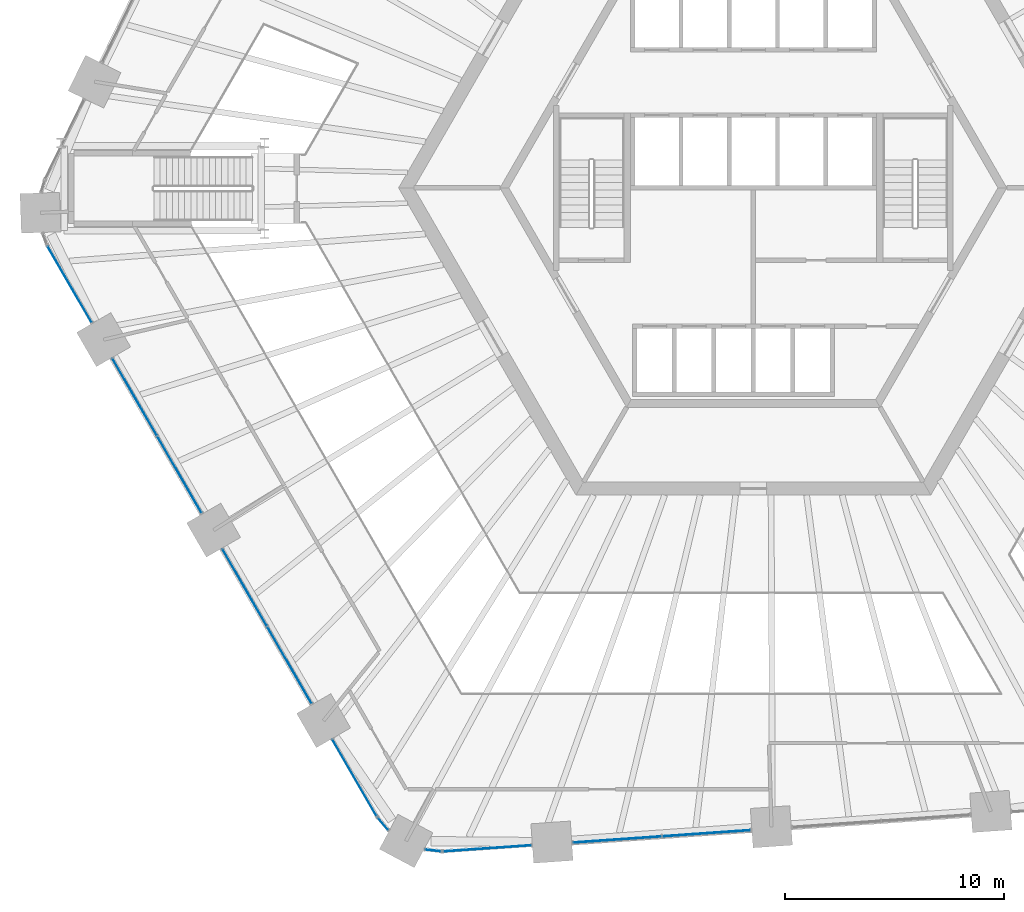
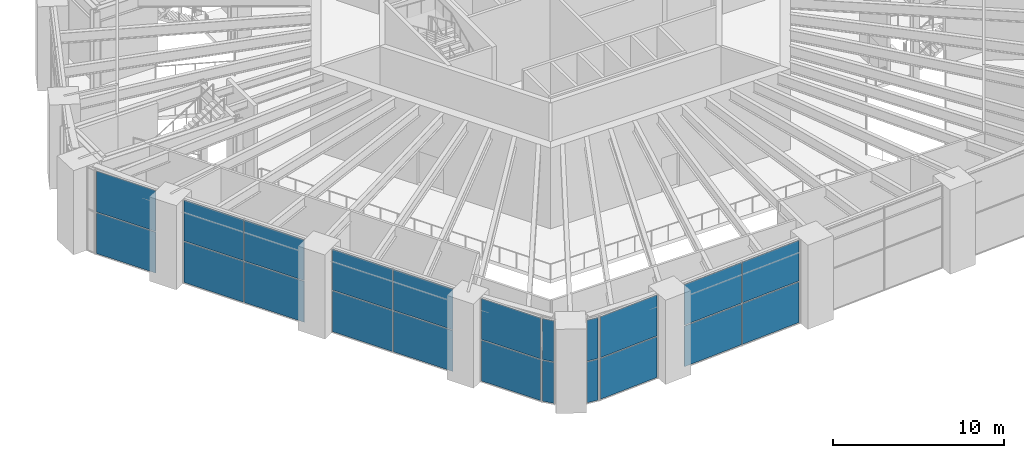
# One storey, part 14 of 32: 22 plates, 8 elements without a shape of their own.
"""IFC4 building model written with IfcOpenShell, lengths in metres."""

from ifc_helpers import new_model, si_unit, direction, frame, origin, origin_2d, place, context, subcontext, project, spatial, rectangle, extrude, material, layer, layer_set, type_object, element, aggregate, save


model = new_model("IFC4")

# Units and contexts
model_context = context("Model", 3, precision=1e-05, world=origin(), true_north=direction((0.0, 1.0)))
body_context = subcontext(model_context, "Body", "Model", "MODEL_VIEW")
ifc_project = project(units=[si_unit("LENGTHUNIT", "METRE"), si_unit("AREAUNIT", "SQUARE_METRE"), si_unit("VOLUMEUNIT", "CUBIC_METRE"), si_unit("PLANEANGLEUNIT", "RADIAN"), si_unit("MASSUNIT", "GRAM", prefix="KILO")], contexts=[model_context])

# Site, building, storey
site_placement = place(None, origin())
site = spatial("IfcSite", under=ifc_project, at=site_placement, CompositionType="ELEMENT")
building_placement = place(site_placement, origin())
building = spatial("IfcBuilding", under=site, at=building_placement, Name="Tarnside Tower", CompositionType="ELEMENT")
storey_placement = place(building_placement, frame((0.0, 0.0, 9.0)))
storey = spatial("IfcBuildingStorey", under=building, at=storey_placement, Name="L01", CompositionType="ELEMENT", Elevation=9.0)

# Curtain wall, plates
ifc_material_1 = material(Name="Lobby entrance glazing wall", Category="glass")
curtain_wall_type_1 = type_object("IfcCurtainWallType", Name="Lobby entrance glazing wall", PredefinedType="NOTDEFINED", material=ifc_material_1)
curtain_wall_1_placement = place(storey_placement, origin())
curtain_wall_1 = element("IfcCurtainWall", 1, at=curtain_wall_1_placement, inside=storey, type_object=curtain_wall_type_1, Name="Lobby entrance glazing L01 12.0", PredefinedType="NOTDEFINED")
ifc_material_2 = material(Name="Low-iron safety glass", Category="glass")
ifc_layer_1 = layer(ifc_material_2, 0.030029296875)
ifc_layer_set_1 = layer_set([ifc_layer_1], Name="Lobby entrance glazing panel 30")
plate_type_1 = type_object("IfcPlateType", Name="Lobby entrance glazing panel 30", PredefinedType="CURTAIN_PANEL", material=ifc_layer_set_1)
plate_1_placement = place(storey_placement, frame((-6.205078125, -29.695068359375, -0.179931640625), z_axis=(0.0, 0.0, 1.0), x_axis=(0.997564050257, 0.069756473779, 0.0)))
plate_1 = element("IfcPlate", 2, at=plate_1_placement, type_object=plate_type_1, Name="CW3 panel 1.1", PredefinedType="CURTAIN_PANEL", context=body_context, shape_type="SweptSolid", body=[
    extrude(rectangle(XDim=4.0068359375, YDim=0.030029296875, at=origin_2d()), origin(), (0.0, 0.0, 1.0), 2.89501953125),
])
plate_2_placement = place(storey_placement, frame((-6.205078125, -29.695068359375, 2.784912109375), z_axis=(0.0, 0.0, 1.0), x_axis=(0.997564050257, 0.069756473779, 0.0)))
plate_2 = element("IfcPlate", 3, at=plate_2_placement, type_object=plate_type_1, Name="CW3 panel 1.2", PredefinedType="CURTAIN_PANEL", context=body_context, shape_type="SweptSolid", body=[
    extrude(rectangle(XDim=4.0068359375, YDim=0.030029296875, at=origin_2d()), origin(), (0.0, 0.0, 1.0), 2.89501953125),
])
plate_3_placement = place(storey_placement, frame((-2.13818359375, -29.410888671875, -0.179931640625), z_axis=(0.0, 0.0, 1.0), x_axis=(0.997564050257, 0.069756473779, 0.0)))
plate_3 = element("IfcPlate", 4, at=plate_3_placement, type_object=plate_type_1, Name="CW3 panel 2.1", PredefinedType="CURTAIN_PANEL", context=body_context, shape_type="SweptSolid", body=[
    extrude(rectangle(XDim=4.0068359375, YDim=0.030029296875, at=origin_2d()), origin(), (0.0, 0.0, 1.0), 2.89501953125),
])
plate_4_placement = place(storey_placement, frame((-2.13818359375, -29.410888671875, 2.784912109375), z_axis=(0.0, 0.0, 1.0), x_axis=(0.997564050257, 0.069756473779, 0.0)))
plate_4 = element("IfcPlate", 5, at=plate_4_placement, type_object=plate_type_1, Name="CW3 panel 2.2", PredefinedType="CURTAIN_PANEL", context=body_context, shape_type="SweptSolid", body=[
    extrude(rectangle(XDim=4.0068359375, YDim=0.030029296875, at=origin_2d()), origin(), (0.0, 0.0, 1.0), 2.89501953125),
])
aggregate(curtain_wall_1, [plate_1, plate_2, plate_3, plate_4])

ifc_material_3 = material(Name="Retail shopfront glazing wall", Category="glass")
curtain_wall_type_2 = type_object("IfcCurtainWallType", Name="Retail shopfront glazing wall", PredefinedType="NOTDEFINED", material=ifc_material_3)
curtain_wall_2_placement = place(storey_placement, origin())
curtain_wall_2 = element("IfcCurtainWall", 6, at=curtain_wall_2_placement, inside=storey, type_object=curtain_wall_type_2, Name="Retail shopfront glazing L01 07.1", PredefinedType="NOTDEFINED")
ifc_layer_2 = layer(ifc_material_2, 0.028076171875)
ifc_layer_set_2 = layer_set([ifc_layer_2], Name="Retail shopfront glazing panel 28")
plate_type_2 = type_object("IfcPlateType", Name="Retail shopfront glazing panel 28", PredefinedType="CURTAIN_PANEL", material=ifc_layer_set_2)
plate_5_placement = place(storey_placement, frame((-31.15478515625, -4.398193359375, -0.18994140625), z_axis=(0.0, 0.0, 1.0), x_axis=(0.50000000003, -0.866025403767, 0.0)))
plate_5 = element("IfcPlate", 7, at=plate_5_placement, type_object=plate_type_2, Name="CW2 panel 1.1", PredefinedType="CURTAIN_PANEL", context=body_context, shape_type="SweptSolid", body=[
    extrude(rectangle(XDim=3.991943359375, YDim=0.028076171875, at=origin_2d()), origin(), (0.0, 0.0, 1.0), 2.909912109375),
])
plate_6_placement = place(storey_placement, frame((-31.15478515625, -4.398193359375, 2.7802734375), z_axis=(0.0, 0.0, 1.0), x_axis=(0.50000000003, -0.866025403767, 0.0)))
plate_6 = element("IfcPlate", 8, at=plate_6_placement, type_object=plate_type_2, Name="CW2 panel 1.2", PredefinedType="CURTAIN_PANEL", context=body_context, shape_type="SweptSolid", body=[
    extrude(rectangle(XDim=3.991943359375, YDim=0.028076171875, at=origin_2d()), origin(), (0.0, 0.0, 1.0), 2.909912109375),
])
aggregate(curtain_wall_2, [plate_5, plate_6])

curtain_wall_3_placement = place(storey_placement, origin())
curtain_wall_3 = element("IfcCurtainWall", 9, at=curtain_wall_3_placement, inside=storey, type_object=curtain_wall_type_2, Name="Retail shopfront glazing L01 08.0", PredefinedType="NOTDEFINED")
plate_7_placement = place(storey_placement, frame((-28.19140625, -9.531005859375, -0.18994140625), z_axis=(0.0, 0.0, 1.0), x_axis=(0.49999999994, -0.866025403819, 0.0)))
plate_7 = element("IfcPlate", 10, at=plate_7_placement, type_object=plate_type_2, Name="CW2 panel 1.1", PredefinedType="CURTAIN_PANEL", context=body_context, shape_type="SweptSolid", body=[
    extrude(rectangle(XDim=4.021728515625, YDim=0.028076171875, at=origin_2d()), origin(), (0.0, 0.0, 1.0), 2.909912109375),
])
plate_8_placement = place(storey_placement, frame((-28.19140625, -9.531005859375, 2.7802734375), z_axis=(0.0, 0.0, 1.0), x_axis=(0.49999999994, -0.866025403819, 0.0)))
plate_8 = element("IfcPlate", 11, at=plate_8_placement, type_object=plate_type_2, Name="CW2 panel 1.2", PredefinedType="CURTAIN_PANEL", context=body_context, shape_type="SweptSolid", body=[
    extrude(rectangle(XDim=4.021728515625, YDim=0.028076171875, at=origin_2d()), origin(), (0.0, 0.0, 1.0), 2.909912109375),
])
plate_9_placement = place(storey_placement, frame((-26.150634765625, -13.06591796875, -0.18994140625), z_axis=(0.0, 0.0, 1.0), x_axis=(0.49999999994, -0.866025403819, 0.0)))
plate_9 = element("IfcPlate", 12, at=plate_9_placement, type_object=plate_type_2, Name="CW2 panel 2.1", PredefinedType="CURTAIN_PANEL", context=body_context, shape_type="SweptSolid", body=[
    extrude(rectangle(XDim=4.021728515625, YDim=0.028076171875, at=origin_2d()), origin(), (0.0, 0.0, 1.0), 2.909912109375),
])
plate_10_placement = place(storey_placement, frame((-26.150634765625, -13.06591796875, 2.7802734375), z_axis=(0.0, 0.0, 1.0), x_axis=(0.49999999994, -0.866025403819, 0.0)))
plate_10 = element("IfcPlate", 13, at=plate_10_placement, type_object=plate_type_2, Name="CW2 panel 2.2", PredefinedType="CURTAIN_PANEL", context=body_context, shape_type="SweptSolid", body=[
    extrude(rectangle(XDim=4.021728515625, YDim=0.028076171875, at=origin_2d()), origin(), (0.0, 0.0, 1.0), 2.909912109375),
])
aggregate(curtain_wall_3, [plate_7, plate_8, plate_9, plate_10])

curtain_wall_4_placement = place(storey_placement, origin())
curtain_wall_4 = element("IfcCurtainWall", 14, at=curtain_wall_4_placement, inside=storey, type_object=curtain_wall_type_2, Name="Retail shopfront glazing L01 09.0", PredefinedType="NOTDEFINED")
plate_11_placement = place(storey_placement, frame((-23.1796875, -18.211669921875, -0.18994140625), z_axis=(0.0, 0.0, 1.0), x_axis=(0.500000000076, -0.866025403741, 0.0)))
plate_11 = element("IfcPlate", 15, at=plate_11_placement, type_object=plate_type_2, Name="CW2 panel 1.1", PredefinedType="CURTAIN_PANEL", context=body_context, shape_type="SweptSolid", body=[
    extrude(rectangle(XDim=4.021728515625, YDim=0.028076171875, at=origin_2d()), origin(), (0.0, 0.0, 1.0), 2.909912109375),
])
plate_12_placement = place(storey_placement, frame((-23.1796875, -18.211669921875, 2.7802734375), z_axis=(0.0, 0.0, 1.0), x_axis=(0.500000000076, -0.866025403741, 0.0)))
plate_12 = element("IfcPlate", 16, at=plate_12_placement, type_object=plate_type_2, Name="CW2 panel 1.2", PredefinedType="CURTAIN_PANEL", context=body_context, shape_type="SweptSolid", body=[
    extrude(rectangle(XDim=4.021728515625, YDim=0.028076171875, at=origin_2d()), origin(), (0.0, 0.0, 1.0), 2.909912109375),
])
plate_13_placement = place(storey_placement, frame((-21.138671875, -21.74658203125, -0.18994140625), z_axis=(0.0, 0.0, 1.0), x_axis=(0.500000000076, -0.866025403741, 0.0)))
plate_13 = element("IfcPlate", 17, at=plate_13_placement, type_object=plate_type_2, Name="CW2 panel 2.1", PredefinedType="CURTAIN_PANEL", context=body_context, shape_type="SweptSolid", body=[
    extrude(rectangle(XDim=4.021728515625, YDim=0.028076171875, at=origin_2d()), origin(), (0.0, 0.0, 1.0), 2.909912109375),
])
plate_14_placement = place(storey_placement, frame((-21.138671875, -21.74658203125, 2.7802734375), z_axis=(0.0, 0.0, 1.0), x_axis=(0.500000000076, -0.866025403741, 0.0)))
plate_14 = element("IfcPlate", 18, at=plate_14_placement, type_object=plate_type_2, Name="CW2 panel 2.2", PredefinedType="CURTAIN_PANEL", context=body_context, shape_type="SweptSolid", body=[
    extrude(rectangle(XDim=4.021728515625, YDim=0.028076171875, at=origin_2d()), origin(), (0.0, 0.0, 1.0), 2.909912109375),
])
aggregate(curtain_wall_4, [plate_11, plate_12, plate_13, plate_14])

curtain_wall_5_placement = place(storey_placement, origin())
curtain_wall_5 = element("IfcCurtainWall", 19, at=curtain_wall_5_placement, inside=storey, type_object=curtain_wall_type_2, Name="Retail shopfront glazing L01 10.0", PredefinedType="NOTDEFINED")
plate_15_placement = place(storey_placement, frame((-18.17529296875, -26.87939453125, -0.18994140625), z_axis=(0.0, 0.0, 1.0), x_axis=(0.499999999849, -0.866025403872, 0.0)))
plate_15 = element("IfcPlate", 20, at=plate_15_placement, type_object=plate_type_2, Name="CW2 panel 1.1", PredefinedType="CURTAIN_PANEL", context=body_context, shape_type="SweptSolid", body=[
    extrude(rectangle(XDim=3.991943359375, YDim=0.028076171875, at=origin_2d()), origin(), (0.0, 0.0, 1.0), 2.909912109375),
])
plate_16_placement = place(storey_placement, frame((-18.17529296875, -26.87939453125, 2.7802734375), z_axis=(0.0, 0.0, 1.0), x_axis=(0.499999999849, -0.866025403872, 0.0)))
plate_16 = element("IfcPlate", 21, at=plate_16_placement, type_object=plate_type_2, Name="CW2 panel 1.2", PredefinedType="CURTAIN_PANEL", context=body_context, shape_type="SweptSolid", body=[
    extrude(rectangle(XDim=3.991943359375, YDim=0.028076171875, at=origin_2d()), origin(), (0.0, 0.0, 1.0), 2.909912109375),
])
aggregate(curtain_wall_5, [plate_15, plate_16])

curtain_wall_6_placement = place(storey_placement, origin())
curtain_wall_6 = element("IfcCurtainWall", 22, at=curtain_wall_6_placement, inside=storey, type_object=curtain_wall_type_2, Name="Retail shopfront glazing L01 10.1", PredefinedType="NOTDEFINED")
plate_17_placement = place(storey_placement, frame((-16.87109375, -28.983642578125, -0.18994140625), z_axis=(0.0, 0.0, 1.0), x_axis=(0.651657228826, -0.758513583345, 0.0)))
plate_17 = element("IfcPlate", 23, at=plate_17_placement, type_object=plate_type_2, Name="CW2 panel 1.1", PredefinedType="CURTAIN_PANEL", context=body_context, shape_type="SweptSolid", body=[
    extrude(rectangle(XDim=0.701416015625, YDim=0.028076171875, at=origin_2d()), origin(), (0.0, 0.0, 1.0), 2.909912109375),
])
plate_18_placement = place(storey_placement, frame((-16.87109375, -28.983642578125, 2.7802734375), z_axis=(0.0, 0.0, 1.0), x_axis=(0.651657228826, -0.758513583345, 0.0)))
plate_18 = element("IfcPlate", 24, at=plate_18_placement, type_object=plate_type_2, Name="CW2 panel 1.2", PredefinedType="CURTAIN_PANEL", context=body_context, shape_type="SweptSolid", body=[
    extrude(rectangle(XDim=0.701416015625, YDim=0.028076171875, at=origin_2d()), origin(), (0.0, 0.0, 1.0), 2.909912109375),
])
aggregate(curtain_wall_6, [plate_17, plate_18])

curtain_wall_7_placement = place(storey_placement, origin())
curtain_wall_7 = element("IfcCurtainWall", 25, at=curtain_wall_7_placement, inside=storey, type_object=curtain_wall_type_2, Name="Retail shopfront glazing L01 11.0", PredefinedType="NOTDEFINED")
plate_19_placement = place(storey_placement, frame((-14.59423828125, -30.194091796875, -0.18994140625), z_axis=(0.0, 0.0, 1.0), x_axis=(0.993238357751, -0.116092914044, 0.0)))
plate_19 = element("IfcPlate", 26, at=plate_19_placement, type_object=plate_type_2, Name="CW2 panel 1.1", PredefinedType="CURTAIN_PANEL", context=body_context, shape_type="SweptSolid", body=[
    extrude(rectangle(XDim=0.701416015625, YDim=0.028076171875, at=origin_2d()), origin(), (0.0, 0.0, 1.0), 2.909912109375),
])
plate_20_placement = place(storey_placement, frame((-14.59423828125, -30.194091796875, 2.7802734375), z_axis=(0.0, 0.0, 1.0), x_axis=(0.993238357751, -0.116092914044, 0.0)))
plate_20 = element("IfcPlate", 27, at=plate_20_placement, type_object=plate_type_2, Name="CW2 panel 1.2", PredefinedType="CURTAIN_PANEL", context=body_context, shape_type="SweptSolid", body=[
    extrude(rectangle(XDim=0.701416015625, YDim=0.028076171875, at=origin_2d()), origin(), (0.0, 0.0, 1.0), 2.909912109375),
])
aggregate(curtain_wall_7, [plate_19, plate_20])

curtain_wall_8_placement = place(storey_placement, origin())
curtain_wall_8 = element("IfcCurtainWall", 28, at=curtain_wall_8_placement, inside=storey, type_object=curtain_wall_type_2, Name="Retail shopfront glazing L01 11.1", PredefinedType="NOTDEFINED")
plate_21_placement = place(storey_placement, frame((-12.12060546875, -30.098876953125, -0.18994140625), z_axis=(0.0, 0.0, 1.0), x_axis=(0.997564050248, 0.069756473918, 0.0)))
plate_21 = element("IfcPlate", 29, at=plate_21_placement, type_object=plate_type_2, Name="CW2 panel 1.1", PredefinedType="CURTAIN_PANEL", context=body_context, shape_type="SweptSolid", body=[
    extrude(rectangle(XDim=3.991943359375, YDim=0.028076171875, at=origin_2d()), origin(), (0.0, 0.0, 1.0), 2.909912109375),
])
plate_22_placement = place(storey_placement, frame((-12.12060546875, -30.098876953125, 2.7802734375), z_axis=(0.0, 0.0, 1.0), x_axis=(0.997564050248, 0.069756473918, 0.0)))
plate_22 = element("IfcPlate", 30, at=plate_22_placement, type_object=plate_type_2, Name="CW2 panel 1.2", PredefinedType="CURTAIN_PANEL", context=body_context, shape_type="SweptSolid", body=[
    extrude(rectangle(XDim=3.991943359375, YDim=0.028076171875, at=origin_2d()), origin(), (0.0, 0.0, 1.0), 2.909912109375),
])
aggregate(curtain_wall_8, [plate_21, plate_22])

save(model, "model.ifc")
